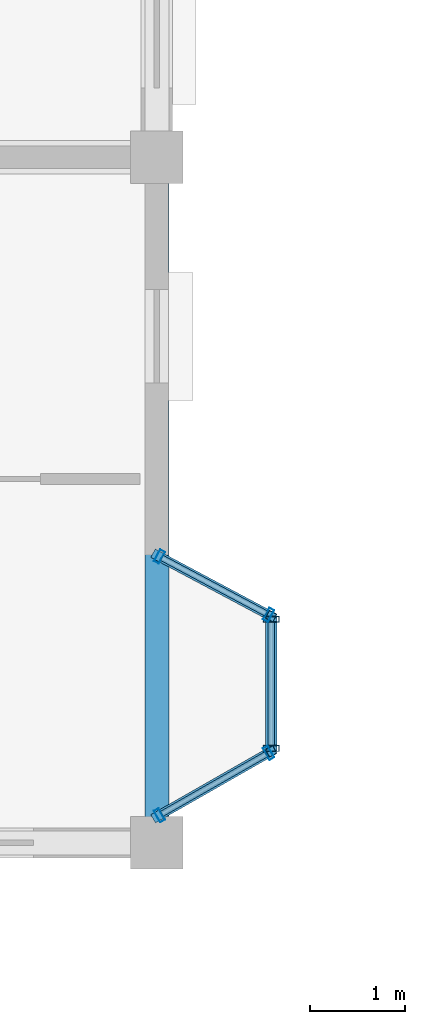
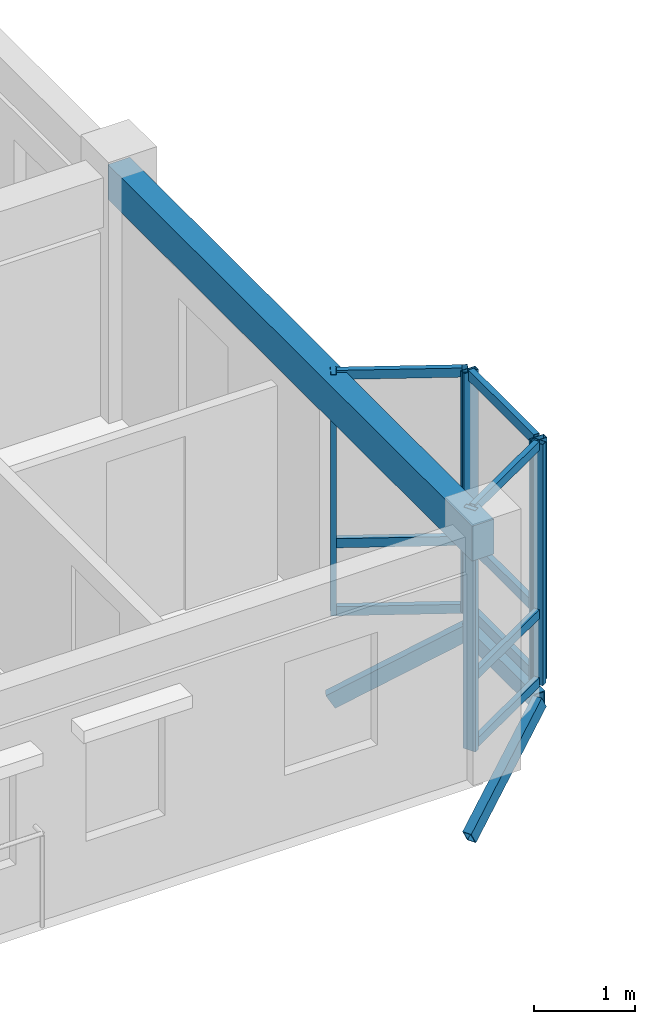
# One storey, part 15 of 75: 18 members, 1 beam, 3 elements without a shape of their own.
"""IFC4 building model written with IfcOpenShell, lengths in metres."""

from ifc_helpers import new_model, si_unit, direction, frame, origin, origin_2d, place, context, subcontext, project, spatial, rectangle, hollow_rectangle, extrude, material, layer, layer_set, material_profile, profile_set, type_object, element, aggregate, save


model = new_model("IFC4")

# Units and contexts
model_context = context("Model", 3, precision=1e-05, world=origin(), true_north=direction((0.0, 1.0)))
body_context = subcontext(model_context, "Body", "Model", "MODEL_VIEW")
ifc_project = project(units=[si_unit("LENGTHUNIT", "METRE"), si_unit("AREAUNIT", "SQUARE_METRE"), si_unit("VOLUMEUNIT", "CUBIC_METRE"), si_unit("PLANEANGLEUNIT", "RADIAN"), si_unit("MASSUNIT", "GRAM", prefix="KILO"), si_unit("THERMODYNAMICTEMPERATUREUNIT", "KELVIN"), si_unit("POWERUNIT", "WATT")], contexts=[model_context])

# Site, building, storey
site_placement = place(None, origin())
site = spatial("IfcSite", under=ifc_project, at=site_placement, CompositionType="ELEMENT")
building_placement = place(site_placement, origin())
building = spatial("IfcBuilding", under=site, at=building_placement, Name="Tavuni Mirador Residences", CompositionType="ELEMENT")
storey_placement = place(building_placement, frame((0.0, 0.0, 20.25)))
storey = spatial("IfcBuildingStorey", under=building, at=storey_placement, Name="L06", CompositionType="ELEMENT", Elevation=20.25)

# Beam
ifc_material_1 = material(Name="Precast concrete C40/50", Category="concrete")
ifc_material_profile_1 = material_profile(ifc_material_1, rectangle(XDim=0.25, YDim=0.419921875, at=origin_2d()), Name="PC 250x420", Category="concrete")
ifc_profile_set_1 = profile_set([ifc_material_profile_1], Name="Precast concrete C40/50")
beam_type = type_object("IfcBeamType", Name="BT-SP420", PredefinedType="SPANDREL", material=ifc_profile_set_1)
beam_placement = place(storey_placement, frame((25.199951171875, 64.800048828125, 2.699951171875), z_axis=(0.0, 1.0, 0.0), x_axis=(-1.0, 0.0, 0.0)))
element("IfcBeam", 1, at=beam_placement, inside=storey, type_object=beam_type, Name="BMY-BLK-B-L06-03-00", PredefinedType="SPANDREL", context=body_context, shape_type="SweptSolid", body=[
    extrude(rectangle(XDim=0.25, YDim=0.419921875, at=origin_2d()), origin(), (0.0, 0.0, 1.0), 7.199951171875),
])

# Curtain wall, members
ifc_material_2 = material(Name="Anodised aluminium", Category="aluminium")
ifc_layer_1 = layer(ifc_material_2, 0.1650390625, Name="Anodised aluminium", Category="aluminium")
ifc_layer_set_1 = layer_set([ifc_layer_1], Name="Anodised aluminium")
curtain_wall_type_1 = type_object("IfcCurtainWallType", Name="CWT-MIR-A", PredefinedType="NOTDEFINED", material=ifc_layer_set_1)
curtain_wall_1_placement = place(storey_placement, origin())
curtain_wall_1 = element("IfcCurtainWall", 2, at=curtain_wall_1_placement, inside=storey, type_object=curtain_wall_type_1, Name="CW-MIR-B-E1-L06-M1", PredefinedType="NOTDEFINED")
ifc_material_profile_2 = material_profile(ifc_material_2, hollow_rectangle(XDim=0.06005859375, YDim=0.139892578125, WallThickness=0.00390625, at=origin_2d()), Name="ALU 60x140x4.0", Category="aluminium")
ifc_profile_set_2 = profile_set([ifc_material_profile_2], Name="Anodised aluminium")
member_type_1 = type_object("IfcMemberType", Name="CWM-140", PredefinedType="MULLION", material=ifc_profile_set_2)
member_1_placement = place(storey_placement, frame((25.22607421875, 65.08984375, 0.0), z_axis=(0.0, 0.0, 1.0), x_axis=(0.868465738194, 0.495749192217, 0.0)))
member_1 = element("IfcMember", 3, at=member_1_placement, type_object=member_type_1, Name="CW-01 mullion 1", PredefinedType="MULLION", context=body_context, shape_type="SweptSolid", body=[
    extrude(hollow_rectangle(XDim=0.06005859375, YDim=0.139892578125, WallThickness=0.00390625, at=origin_2d()), origin(), (0.0, 0.0, 1.0), 2.909912109375),
])
member_2_placement = place(storey_placement, frame((26.3740234375, 65.7451171875, 0.0), z_axis=(0.0, 0.0, 1.0), x_axis=(0.868465738194, 0.495749192217, 0.0)))
member_2 = element("IfcMember", 4, at=member_2_placement, type_object=member_type_1, Name="CW-01 mullion 2", PredefinedType="MULLION", context=body_context, shape_type="SweptSolid", body=[
    extrude(hollow_rectangle(XDim=0.06005859375, YDim=0.139892578125, WallThickness=0.00390625, at=origin_2d()), origin(), (0.0, 0.0, 1.0), 2.909912109375),
])

ifc_layer_2 = layer(ifc_material_2, 0.175048828125, Name="Anodised aluminium", Category="aluminium")
ifc_layer_set_2 = layer_set([ifc_layer_2], Name="Anodised aluminium")
curtain_wall_type_2 = type_object("IfcCurtainWallType", Name="CWT-MIR-C", PredefinedType="NOTDEFINED", material=ifc_layer_set_2)
curtain_wall_2_placement = place(storey_placement, origin())
curtain_wall_2 = element("IfcCurtainWall", 5, at=curtain_wall_2_placement, inside=storey, type_object=curtain_wall_type_2, Name="CW-MIR-B-E1-L06-M2", PredefinedType="NOTDEFINED")
member_3_placement = place(storey_placement, frame((26.37353515625, 67.194091796875, 0.0), z_axis=(0.0, 0.0, 1.0), x_axis=(-0.882352941175, 0.470588235296, 0.0)))
member_3 = element("IfcMember", 6, at=member_3_placement, type_object=member_type_1, Name="CW-03 mullion 1", PredefinedType="MULLION", context=body_context, shape_type="SweptSolid", body=[
    extrude(hollow_rectangle(XDim=0.06005859375, YDim=0.139892578125, WallThickness=0.00390625, at=origin_2d()), origin(), (0.0, 0.0, 1.0), 2.909912109375),
])
member_4_placement = place(storey_placement, frame((25.2265625, 67.805908203125, 0.0), z_axis=(0.0, 0.0, 1.0), x_axis=(-0.882352941175, 0.470588235296, 0.0)))
member_4 = element("IfcMember", 7, at=member_4_placement, type_object=member_type_1, Name="CW-03 mullion 2", PredefinedType="MULLION", context=body_context, shape_type="SweptSolid", body=[
    extrude(hollow_rectangle(XDim=0.06005859375, YDim=0.139892578125, WallThickness=0.00390625, at=origin_2d()), origin(), (0.0, 0.0, 1.0), 2.909912109375),
])

ifc_layer_3 = layer(ifc_material_2, 0.14990234375, Name="Anodised aluminium", Category="aluminium")
ifc_layer_set_3 = layer_set([ifc_layer_3], Name="Anodised aluminium")
curtain_wall_type_3 = type_object("IfcCurtainWallType", Name="CWT-MIR-B", PredefinedType="NOTDEFINED", material=ifc_layer_set_3)
curtain_wall_3_placement = place(storey_placement, origin())
curtain_wall_3 = element("IfcCurtainWall", 8, at=curtain_wall_3_placement, inside=storey, type_object=curtain_wall_type_3, Name="CW-MIR-B-E1-L06-MF", PredefinedType="NOTDEFINED")
ifc_material_profile_3 = material_profile(ifc_material_2, hollow_rectangle(XDim=0.06494140625, YDim=0.1650390625, WallThickness=0.00439453125, at=origin_2d()), Name="ALU 65x165x4.5", Category="aluminium")
ifc_profile_set_3 = profile_set([ifc_material_profile_3], Name="Anodised aluminium")
member_type_2 = type_object("IfcMemberType", Name="CWM-165", PredefinedType="MULLION", material=ifc_profile_set_3)
member_5_placement = place(storey_placement, frame((26.39990234375, 65.79248046875, 0.0), z_axis=(0.0, 0.0, 1.0), x_axis=(0.0, 1.0, 0.0)))
member_5 = element("IfcMember", 9, at=member_5_placement, type_object=member_type_2, Name="CW-02 mullion 1", PredefinedType="MULLION", context=body_context, shape_type="SweptSolid", body=[
    extrude(hollow_rectangle(XDim=0.06494140625, YDim=0.1650390625, WallThickness=0.00439453125, at=origin_2d()), origin(), (0.0, 0.0, 1.0), 2.909912109375),
])
member_6_placement = place(storey_placement, frame((26.39990234375, 67.1474609375, 0.0), z_axis=(0.0, 0.0, 1.0), x_axis=(0.0, 1.0, 0.0)))
member_6 = element("IfcMember", 10, at=member_6_placement, type_object=member_type_2, Name="CW-02 mullion 2", PredefinedType="MULLION", context=body_context, shape_type="SweptSolid", body=[
    extrude(hollow_rectangle(XDim=0.06494140625, YDim=0.1650390625, WallThickness=0.00439453125, at=origin_2d()), origin(), (0.0, 0.0, 1.0), 2.909912109375),
])

# Member
ifc_material_profile_4 = material_profile(ifc_material_2, hollow_rectangle(XDim=0.06005859375, YDim=0.110107421875, WallThickness=0.00390625, at=origin_2d()), Name="ALU 60x110x4.0", Category="aluminium")
ifc_profile_set_4 = profile_set([ifc_material_profile_4], Name="Anodised aluminium")
member_type_3 = type_object("IfcMemberType", Name="CWT-110", PredefinedType="USERDEFINED", material=ifc_profile_set_4)
member_7_placement = place(storey_placement, frame((25.252197265625, 65.104736328125, 0.030029296875), z_axis=(0.868457406816, 0.495763787046, 0.0), x_axis=(-0.495763787046, 0.868457406816, 0.0)))
member_7 = element("IfcMember", 11, at=member_7_placement, type_object=member_type_3, Name="CW-01 transom 1.1", ObjectType="TRANSOM", PredefinedType="USERDEFINED", context=body_context, shape_type="SweptSolid", body=[
    extrude(hollow_rectangle(XDim=0.06005859375, YDim=0.110107421875, WallThickness=0.00390625, at=origin_2d()), origin(), (0.0, 0.0, 1.0), 1.26171875),
])

member_8_placement = place(storey_placement, frame((25.252197265625, 65.104736328125, 0.85009765625), z_axis=(0.868457406816, 0.495763787046, 0.0), x_axis=(-0.495763787046, 0.868457406816, 0.0)))
member_8 = element("IfcMember", 12, at=member_8_placement, type_object=member_type_3, Name="CW-01 transom 1.2", ObjectType="TRANSOM", PredefinedType="USERDEFINED", context=body_context, shape_type="SweptSolid", body=[
    extrude(hollow_rectangle(XDim=0.06005859375, YDim=0.110107421875, WallThickness=0.00390625, at=origin_2d()), origin(), (0.0, 0.0, 1.0), 1.26171875),
])

member_9_placement = place(storey_placement, frame((25.252197265625, 65.104736328125, 2.8798828125), z_axis=(0.868457406816, 0.495763787046, 0.0), x_axis=(-0.495763787046, 0.868457406816, 0.0)))
member_9 = element("IfcMember", 13, at=member_9_placement, type_object=member_type_3, Name="CW-01 transom 1.3", ObjectType="TRANSOM", PredefinedType="USERDEFINED", context=body_context, shape_type="SweptSolid", body=[
    extrude(hollow_rectangle(XDim=0.06005859375, YDim=0.110107421875, WallThickness=0.00390625, at=origin_2d()), origin(), (0.0, 0.0, 1.0), 1.26171875),
])

aggregate(curtain_wall_1, [member_1, member_2, member_7, member_8, member_9])

member_10_placement = place(storey_placement, frame((26.34716796875, 67.208251953125, 0.030029296875), z_axis=(-0.882385637708, 0.470526924168, 0.0), x_axis=(-0.470526924168, -0.882385637708, 0.0)))
member_10 = element("IfcMember", 14, at=member_10_placement, type_object=member_type_3, Name="CW-03 transom 1.1", ObjectType="TRANSOM", PredefinedType="USERDEFINED", context=body_context, shape_type="SweptSolid", body=[
    extrude(hollow_rectangle(XDim=0.06005859375, YDim=0.110107421875, WallThickness=0.00390625, at=origin_2d()), origin(), (0.0, 0.0, 1.0), 1.239990234375),
])

member_11_placement = place(storey_placement, frame((26.34716796875, 67.208251953125, 0.85009765625), z_axis=(-0.882385637708, 0.470526924168, 0.0), x_axis=(-0.470526924168, -0.882385637708, 0.0)))
member_11 = element("IfcMember", 15, at=member_11_placement, type_object=member_type_3, Name="CW-03 transom 1.2", ObjectType="TRANSOM", PredefinedType="USERDEFINED", context=body_context, shape_type="SweptSolid", body=[
    extrude(hollow_rectangle(XDim=0.06005859375, YDim=0.110107421875, WallThickness=0.00390625, at=origin_2d()), origin(), (0.0, 0.0, 1.0), 1.239990234375),
])

member_12_placement = place(storey_placement, frame((26.34716796875, 67.208251953125, 2.8798828125), z_axis=(-0.882385637708, 0.470526924168, 0.0), x_axis=(-0.470526924168, -0.882385637708, 0.0)))
member_12 = element("IfcMember", 16, at=member_12_placement, type_object=member_type_3, Name="CW-03 transom 1.3", ObjectType="TRANSOM", PredefinedType="USERDEFINED", context=body_context, shape_type="SweptSolid", body=[
    extrude(hollow_rectangle(XDim=0.06005859375, YDim=0.110107421875, WallThickness=0.00390625, at=origin_2d()), origin(), (0.0, 0.0, 1.0), 1.239990234375),
])

aggregate(curtain_wall_2, [member_3, member_4, member_10, member_11, member_12])

ifc_material_profile_5 = material_profile(ifc_material_2, hollow_rectangle(XDim=0.06494140625, YDim=0.125, WallThickness=0.00439453125, at=origin_2d()), Name="ALU 65x125x4.5", Category="aluminium")
ifc_profile_set_5 = profile_set([ifc_material_profile_5], Name="Anodised aluminium")
member_type_4 = type_object("IfcMemberType", Name="CWT-125", PredefinedType="USERDEFINED", material=ifc_profile_set_5)
member_13_placement = place(storey_placement, frame((26.39990234375, 65.824951171875, 0.032470703125), z_axis=(0.0, 1.0, 0.0), x_axis=(-1.0, 0.0, 0.0)))
member_13 = element("IfcMember", 17, at=member_13_placement, type_object=member_type_4, Name="CW-02 transom 1.1", ObjectType="TRANSOM", PredefinedType="USERDEFINED", context=body_context, shape_type="SweptSolid", body=[
    extrude(hollow_rectangle(XDim=0.06494140625, YDim=0.125, WallThickness=0.00439453125, at=origin_2d()), origin(), (0.0, 0.0, 1.0), 1.2900390625),
])

member_14_placement = place(storey_placement, frame((26.39990234375, 65.824951171875, 0.85009765625), z_axis=(0.0, 1.0, 0.0), x_axis=(-1.0, 0.0, 0.0)))
member_14 = element("IfcMember", 18, at=member_14_placement, type_object=member_type_4, Name="CW-02 transom 1.2", ObjectType="TRANSOM", PredefinedType="USERDEFINED", context=body_context, shape_type="SweptSolid", body=[
    extrude(hollow_rectangle(XDim=0.06494140625, YDim=0.125, WallThickness=0.00439453125, at=origin_2d()), origin(), (0.0, 0.0, 1.0), 1.2900390625),
])

member_15_placement = place(storey_placement, frame((26.39990234375, 65.824951171875, 2.87744140625), z_axis=(0.0, 1.0, 0.0), x_axis=(-1.0, 0.0, 0.0)))
member_15 = element("IfcMember", 19, at=member_15_placement, type_object=member_type_4, Name="CW-02 transom 1.3", ObjectType="TRANSOM", PredefinedType="USERDEFINED", context=body_context, shape_type="SweptSolid", body=[
    extrude(hollow_rectangle(XDim=0.06494140625, YDim=0.125, WallThickness=0.00439453125, at=origin_2d()), origin(), (0.0, 0.0, 1.0), 1.2900390625),
])

aggregate(curtain_wall_3, [member_5, member_6, member_13, member_14, member_15])

# Members
ifc_material_3 = material(Name="Structural steel S355", Category="steel")
ifc_material_profile_6 = material_profile(ifc_material_3, hollow_rectangle(XDim=0.10009765625, YDim=0.179931640625, WallThickness=0.008056640625, at=origin_2d()), Name="RHS 180x100x8.0", Category="steel")
ifc_profile_set_6 = profile_set([ifc_material_profile_6], Name="Structural steel S355")
member_type_5 = type_object("IfcMemberType", Name="MT-BR-RHS180", PredefinedType="BRACE", material=ifc_profile_set_6)
member_16_placement = place(storey_placement, frame((25.199951171875, 65.074951171875, -1.050048828125), z_axis=(0.749182227944, 0.427712173268, 0.505755164256), x_axis=(-0.495796390047, 0.868438794398, 0.0)))
element("IfcMember", 20, at=member_16_placement, inside=storey, type_object=member_type_5, Name="MBRK-MIR-B-E1-L06-1", PredefinedType="BRACE", context=body_context, shape_type="SweptSolid", body=[
    extrude(hollow_rectangle(XDim=0.10009765625, YDim=0.179931640625, WallThickness=0.008056640625, at=origin_2d()), origin(), (0.0, 0.0, 1.0), 1.6015625),
])
member_17_placement = place(storey_placement, frame((25.199951171875, 67.820068359375, -1.050048828125), z_axis=(0.758028963388, -0.404384932249, 0.511727385661), x_axis=(0.470681405175, 0.882303244255, 0.0)))
element("IfcMember", 21, at=member_17_placement, inside=storey, type_object=member_type_5, Name="MBRK-MIR-B-E1-L06-2", PredefinedType="BRACE", context=body_context, shape_type="SweptSolid", body=[
    extrude(hollow_rectangle(XDim=0.10009765625, YDim=0.179931640625, WallThickness=0.008056640625, at=origin_2d()), origin(), (0.0, 0.0, 1.0), 1.5830078125),
])
ifc_material_profile_7 = material_profile(ifc_material_3, hollow_rectangle(XDim=0.1201171875, YDim=0.199951171875, WallThickness=0.010009765625, at=origin_2d()), Name="RHS 200x120x10.0", Category="steel")
ifc_profile_set_7 = profile_set([ifc_material_profile_7], Name="Structural steel S355")
member_type_6 = type_object("IfcMemberType", Name="MT-ST-RHS200", PredefinedType="STRUT", material=ifc_profile_set_7)
member_18_placement = place(storey_placement, frame((26.39990234375, 65.760009765625, -0.239990234375), z_axis=(0.0, 1.0, 0.0), x_axis=(-1.0, 0.0, 0.0)))
element("IfcMember", 22, at=member_18_placement, inside=storey, type_object=member_type_6, Name="MRIM-MIR-B-E1-L06", PredefinedType="STRUT", context=body_context, shape_type="SweptSolid", body=[
    extrude(hollow_rectangle(XDim=0.1201171875, YDim=0.199951171875, WallThickness=0.010009765625, at=origin_2d()), origin(), (0.0, 0.0, 1.0), 1.419921875),
])

save(model, "model.ifc")
